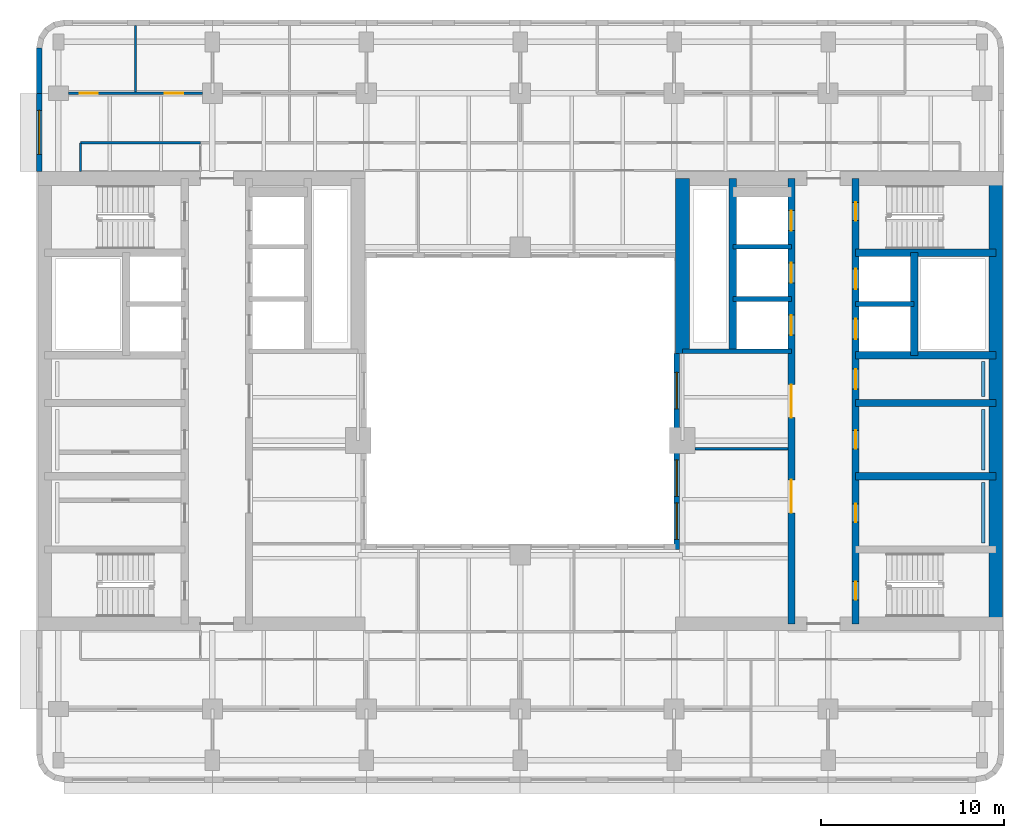
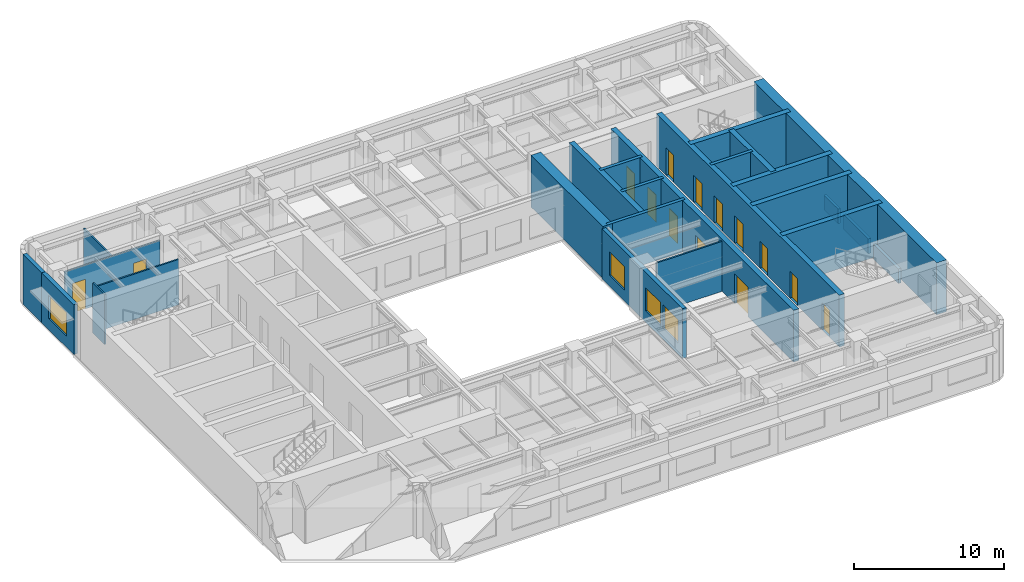
# One storey, part 6 of 12: 25 walls, 14 doors, 4 windows, 18 openings.
"""IFC4 building model written with IfcOpenShell, lengths in metres."""

from ifc_helpers import new_model, si_unit, direction, frame, frame_2d, origin, place, context, subcontext, project, spatial, rectangle, extrude, material, layer, layer_set, type_object, element, fill, save


model = new_model("IFC4")

# Units and contexts
model_context = context("Model", 3, precision=1e-05, world=origin(), true_north=direction((0.0, 1.0)))
body_context = subcontext(model_context, "Body", "Model", "MODEL_VIEW")
ifc_project = project(units=[si_unit("LENGTHUNIT", "METRE"), si_unit("AREAUNIT", "SQUARE_METRE"), si_unit("VOLUMEUNIT", "CUBIC_METRE"), si_unit("PLANEANGLEUNIT", "RADIAN"), si_unit("MASSUNIT", "GRAM", prefix="KILO")], contexts=[model_context])

# Site, building, storey
site_placement = place(None, origin())
site = spatial("IfcSite", under=ifc_project, at=site_placement, CompositionType="ELEMENT")
building_placement = place(site_placement, origin())
building = spatial("IfcBuilding", under=site, at=building_placement, Name="Claustro Exchange Tower", CompositionType="ELEMENT")
storey_placement = place(building_placement, frame((0.0, 0.0, 223.800048828125)))
storey = spatial("IfcBuildingStorey", under=building, at=storey_placement, Name="L51", CompositionType="ELEMENT", Elevation=223.800048828125)

# Wall
ifc_material_1 = material(Name="Laminated glass in aluminium frame", Category="aluminium")
ifc_layer_1 = layer(ifc_material_1, 0.1201171875)
ifc_layer_set_1 = layer_set([ifc_layer_1], Name="Laminated glass in aluminium frame")
wall_type_1 = type_object("IfcWallType", Name="P2 120 glazed partition", PredefinedType="PARTITIONING", material=ifc_layer_set_1)
wall_1_placement = place(storey_placement, frame((34.7490234375, 22.60009765625, 0.0), z_axis=(0.0, 0.0, 1.0), x_axis=(1.0, 0.0, 0.0)))
element("IfcWall", 1, at=wall_1_placement, inside=storey, type_object=wall_type_1, Name="Partition P2 L51", PredefinedType="PARTITIONING", context=body_context, shape_type="SweptSolid", body=[
    extrude(rectangle(XDim=5.052978515625, YDim=0.1201171875, at=frame_2d((2.5263671875, 0.0))), origin(), (0.0, 0.0, 1.0), 4.050048828125),
])

# Wall, openings, doors
wall_2_placement = place(storey_placement, frame((0.549072265625, 42.0, 0.0), z_axis=(0.0, 0.0, 1.0), x_axis=(1.0, 0.0, 0.0)))
wall_2 = element("IfcWall", 2, at=wall_2_placement, inside=storey, type_object=wall_type_1, Name="Partition P2 L51", PredefinedType="PARTITIONING", context=body_context, shape_type="SweptSolid", body=[
    extrude(rectangle(XDim=7.302001953125, YDim=0.1201171875, at=frame_2d((3.65087890625, 0.0))), origin(), (0.0, 0.0, 1.0), 3.550048828125),
])
opening_1_placement = place(wall_2_placement, frame((0.60107421875, 0.0, 0.0)))
opening_1 = element("IfcOpeningElement", 3, at=opening_1_placement, cuts=wall_2, Name="Opening D7", PredefinedType="OPENING", context=body_context, shape_type="SweptSolid", body=[
    extrude(rectangle(XDim=1.0, YDim=2.39990234375, at=frame_2d((0.5, 1.199951171875))), frame((0.0, 0.070068359375, 0.0), z_axis=(0.0, -1.0, 0.0), x_axis=(1.0, 0.0, 0.0)), (0.0, 0.0, 1.0), 0.14013671875),
])
opening_2_placement = place(wall_2_placement, frame((5.2509765625, 0.0, 0.0)))
opening_2 = element("IfcOpeningElement", 4, at=opening_2_placement, cuts=wall_2, Name="Opening D7", PredefinedType="OPENING", context=body_context, shape_type="SweptSolid", body=[
    extrude(rectangle(XDim=1.0, YDim=2.39990234375, at=frame_2d((0.5, 1.199951171875))), frame((0.0, 0.070068359375, 0.0), z_axis=(0.0, -1.0, 0.0), x_axis=(1.0, 0.0, 0.0)), (0.0, 0.0, 1.0), 0.14013671875),
])
ifc_material_2 = material(Name="Glass door in aluminium frame", Category="aluminium")
door_type_1 = type_object("IfcDoorType", Name="D7 1000 x 2400 glazed door", OperationType="SINGLE_SWING_LEFT", PredefinedType="DOOR", material=ifc_material_2)
door_1_placement = place(opening_1_placement, origin())
door_1 = element("IfcDoor", 5, at=door_1_placement, inside=storey, type_object=door_type_1, Name="Door D7 L51", OperationType="SINGLE_SWING_RIGHT", OverallHeight=2.39990234375, OverallWidth=1.0, PredefinedType="DOOR", context=body_context, shape_type="SweptSolid", body=[
    extrude(rectangle(XDim=1.0, YDim=2.39990234375, at=frame_2d((0.5, 1.199951171875))), frame((0.0, 0.02490234375, 0.0), z_axis=(0.0, -1.0, 0.0), x_axis=(1.0, 0.0, 0.0)), (0.0, 0.0, 1.0), 0.050048828125),
])
fill(opening_1, door_1)
door_2_placement = place(opening_2_placement, origin())
door_2 = element("IfcDoor", 6, at=door_2_placement, inside=storey, type_object=door_type_1, Name="Door D7 L51", OperationType="SINGLE_SWING_RIGHT", OverallHeight=2.39990234375, OverallWidth=1.0, PredefinedType="DOOR", context=body_context, shape_type="SweptSolid", body=[
    extrude(rectangle(XDim=1.0, YDim=2.39990234375, at=frame_2d((0.5, 1.199951171875))), frame((0.0, 0.02490234375, 0.0), z_axis=(0.0, -1.0, 0.0), x_axis=(1.0, 0.0, 0.0)), (0.0, 0.0, 1.0), 0.050048828125),
])
fill(opening_2, door_2)

# Walls
wall_3_placement = place(storey_placement, frame((4.199951171875, 42.05810546875, 0.0), z_axis=(0.0, 0.0, 1.0), x_axis=(0.0, 1.0, 0.0)))
element("IfcWall", 7, at=wall_3_placement, inside=storey, type_object=wall_type_1, Name="Partition P2 L51", PredefinedType="PARTITIONING", context=body_context, shape_type="SweptSolid", body=[
    extrude(rectangle(XDim=3.643798828125, YDim=0.1201171875, at=frame_2d((1.82177734375, 0.0))), origin(), (0.0, 0.0, 1.0), 3.550048828125),
])
wall_4_placement = place(storey_placement, frame((1.199951171875, 39.300048828125, 0.0), z_axis=(0.0, 0.0, 1.0), x_axis=(1.0, 0.0, 0.0)))
element("IfcWall", 8, at=wall_4_placement, inside=storey, type_object=wall_type_1, Name="Partition P2 L51", PredefinedType="PARTITIONING", context=body_context, shape_type="SweptSolid", body=[
    extrude(rectangle(XDim=6.552001953125, YDim=0.1201171875, at=frame_2d((3.27587890625, 0.0))), origin(), (0.0, 0.0, 1.0), 3.68994140625),
])
wall_5_placement = place(storey_placement, frame((1.199951171875, 37.72412109375, 0.0), z_axis=(0.0, 0.0, 1.0), x_axis=(0.0, 1.0, 0.0)))
element("IfcWall", 9, at=wall_5_placement, inside=storey, type_object=wall_type_1, Name="Partition P2 L51", PredefinedType="PARTITIONING", context=body_context, shape_type="SweptSolid", body=[
    extrude(rectangle(XDim=1.575927734375, YDim=0.1201171875, at=frame_2d((0.7880859375, 0.0))), origin(), (0.0, 0.0, 1.0), 4.050048828125),
])

# Wall, opening, window
ifc_material_3 = material(Name="Concrete HA-40 (C40/50), precast, white cement, acid-etched", Category="concrete")
ifc_layer_2 = layer(ifc_material_3, 0.300048828125)
ifc_layer_set_2 = layer_set([ifc_layer_2], Name="Concrete HA-40 (C40/50), precast, white cement, acid-etched")
wall_type_2 = type_object("IfcWallType", Name="PC1 300 precast concrete pier panel", PredefinedType="SOLIDWALL", material=ifc_layer_set_2)
wall_6_placement = place(storey_placement, frame((-1.050048828125, 37.72509765625, 0.0), z_axis=(0.0, 0.0, 1.0), x_axis=(0.0, 1.0, 0.0)))
wall_6 = element("IfcWall", 10, at=wall_6_placement, inside=storey, type_object=wall_type_2, Name="Precast pier panel PC1 L51", PredefinedType="SOLIDWALL", context=body_context, shape_type="SweptSolid", body=[
    extrude(rectangle(XDim=4.27490234375, YDim=0.300048828125, at=frame_2d((2.137451171875, 0.0))), origin(), (0.0, 0.0, 1.0), 4.050048828125),
])
opening_3_placement = place(wall_6_placement, frame((0.9375, 0.0, 0.89990234375)))
opening_3 = element("IfcOpeningElement", 11, at=opening_3_placement, cuts=wall_6, Name="Opening W2", PredefinedType="OPENING", context=body_context, shape_type="SweptSolid", body=[
    extrude(rectangle(XDim=2.39990234375, YDim=1.89990234375, at=frame_2d((1.199951171875, 0.949951171875))), frame((0.0, 0.159912109375, 0.0), z_axis=(0.0, -1.0, 0.0), x_axis=(1.0, 0.0, 0.0)), (0.0, 0.0, 1.0), 0.320068359375),
])
ifc_material_4 = material(Name="Aluminium frame, clear double glazing", Category="aluminium")
window_type_1 = type_object("IfcWindowType", Name="W2 2400 x 1900 window", PartitioningType="SINGLE_PANEL", PredefinedType="WINDOW", material=ifc_material_4)
window_1_placement = place(opening_3_placement, origin())
window_1 = element("IfcWindow", 12, at=window_1_placement, inside=storey, type_object=window_type_1, Name="Window W2 L51", OverallHeight=1.89990234375, OverallWidth=2.39990234375, PartitioningType="SINGLE_PANEL", PredefinedType="WINDOW", context=body_context, shape_type="SweptSolid", body=[
    extrude(rectangle(XDim=2.39990234375, YDim=1.89990234375, at=frame_2d((1.199951171875, 0.949951171875))), frame((0.0, 0.030029296875, 0.0), z_axis=(0.0, -1.0, 0.0), x_axis=(1.0, 0.0, 0.0)), (0.0, 0.0, 1.0), 0.06005859375),
])
fill(opening_3, window_1)

# Wall
wall_7_placement = place(storey_placement, frame((-1.050048828125, 42.0, 0.0), z_axis=(0.0, 0.0, 1.0), x_axis=(0.0, 1.0, 0.0)))
element("IfcWall", 13, at=wall_7_placement, inside=storey, type_object=wall_type_2, Name="Precast pier panel PC1 L51", PredefinedType="SOLIDWALL", context=body_context, shape_type="SweptSolid", body=[
    extrude(rectangle(XDim=2.485107421875, YDim=0.300048828125, at=frame_2d((1.24267578125, 0.0))), origin(), (0.0, 0.0, 1.0), 4.050048828125),
])

# Wall, openings, windows
wall_8_placement = place(storey_placement, frame((33.75, 17.10009765625, 0.0), z_axis=(0.0, 0.0, 1.0), x_axis=(0.0, 1.0, 0.0)))
wall_8 = element("IfcWall", 14, at=wall_8_placement, inside=storey, type_object=wall_type_2, Name="Precast pier panel PC1 L51", PredefinedType="SOLIDWALL", context=body_context, shape_type="SweptSolid", body=[
    extrude(rectangle(XDim=10.699951171875, YDim=0.300048828125, at=frame_2d((5.35009765625, 0.0))), origin(), (0.0, 0.0, 1.0), 4.050048828125),
])
opening_4_placement = place(wall_8_placement, frame((0.550048828125, 0.0, 0.89990234375)))
opening_4 = element("IfcOpeningElement", 15, at=opening_4_placement, cuts=wall_8, Name="Opening W4", PredefinedType="OPENING", context=body_context, shape_type="SweptSolid", body=[
    extrude(rectangle(XDim=2.0, YDim=1.89990234375, at=frame_2d((1.0, 0.949951171875))), frame((0.0, 0.159912109375, 0.0), z_axis=(0.0, -1.0, 0.0), x_axis=(1.0, 0.0, 0.0)), (0.0, 0.0, 1.0), 0.320068359375),
])
opening_5_placement = place(wall_8_placement, frame((2.89990234375, 0.0, 0.89990234375)))
opening_5 = element("IfcOpeningElement", 16, at=opening_5_placement, cuts=wall_8, Name="Opening W4", PredefinedType="OPENING", context=body_context, shape_type="SweptSolid", body=[
    extrude(rectangle(XDim=2.0, YDim=1.89990234375, at=frame_2d((1.0, 0.949951171875))), frame((0.0, 0.159912109375, 0.0), z_axis=(0.0, -1.0, 0.0), x_axis=(1.0, 0.0, 0.0)), (0.0, 0.0, 1.0), 0.320068359375),
])
opening_6_placement = place(wall_8_placement, frame((7.675048828125, 0.0, 0.89990234375)))
opening_6 = element("IfcOpeningElement", 17, at=opening_6_placement, cuts=wall_8, Name="Opening W4", PredefinedType="OPENING", context=body_context, shape_type="SweptSolid", body=[
    extrude(rectangle(XDim=2.0, YDim=1.89990234375, at=frame_2d((1.0, 0.949951171875))), frame((0.0, 0.159912109375, 0.0), z_axis=(0.0, -1.0, 0.0), x_axis=(1.0, 0.0, 0.0)), (0.0, 0.0, 1.0), 0.320068359375),
])
ifc_material_5 = material(Name="Aluminium frame, clear double glazing", Category="aluminium")
window_type_2 = type_object("IfcWindowType", Name="W4 2000 x 1900 light well window", PartitioningType="SINGLE_PANEL", PredefinedType="WINDOW", material=ifc_material_5)
window_2_placement = place(opening_4_placement, origin())
window_2 = element("IfcWindow", 18, at=window_2_placement, inside=storey, type_object=window_type_2, Name="Window W4 L51", OverallHeight=1.89990234375, OverallWidth=2.0, PartitioningType="SINGLE_PANEL", PredefinedType="WINDOW", context=body_context, shape_type="SweptSolid", body=[
    extrude(rectangle(XDim=2.0, YDim=1.89990234375, at=frame_2d((1.0, 0.949951171875))), frame((0.0, 0.030029296875, 0.0), z_axis=(0.0, -1.0, 0.0), x_axis=(1.0, 0.0, 0.0)), (0.0, 0.0, 1.0), 0.06005859375),
])
fill(opening_4, window_2)
window_3_placement = place(opening_5_placement, origin())
window_3 = element("IfcWindow", 19, at=window_3_placement, inside=storey, type_object=window_type_2, Name="Window W4 L51", OverallHeight=1.89990234375, OverallWidth=2.0, PartitioningType="SINGLE_PANEL", PredefinedType="WINDOW", context=body_context, shape_type="SweptSolid", body=[
    extrude(rectangle(XDim=2.0, YDim=1.89990234375, at=frame_2d((1.0, 0.949951171875))), frame((0.0, 0.030029296875, 0.0), z_axis=(0.0, -1.0, 0.0), x_axis=(1.0, 0.0, 0.0)), (0.0, 0.0, 1.0), 0.06005859375),
])
fill(opening_5, window_3)
window_4_placement = place(opening_6_placement, origin())
window_4 = element("IfcWindow", 20, at=window_4_placement, inside=storey, type_object=window_type_2, Name="Window W4 L51", OverallHeight=1.89990234375, OverallWidth=2.0, PartitioningType="SINGLE_PANEL", PredefinedType="WINDOW", context=body_context, shape_type="SweptSolid", body=[
    extrude(rectangle(XDim=2.0, YDim=1.89990234375, at=frame_2d((1.0, 0.949951171875))), frame((0.0, 0.030029296875, 0.0), z_axis=(0.0, -1.0, 0.0), x_axis=(1.0, 0.0, 0.0)), (0.0, 0.0, 1.0), 0.06005859375),
])
fill(opening_6, window_4)

# Walls
ifc_material_6 = material(Name="Gypsum board on steel studs, tiled", Category="steel")
ifc_layer_3 = layer(ifc_material_6, 0.199951171875)
ifc_layer_set_3 = layer_set([ifc_layer_3], Name="Gypsum board on steel studs, tiled")
wall_type_3 = type_object("IfcWallType", Name="PW1 200 WC duct wall", PredefinedType="PLUMBINGWALL", material=ifc_layer_set_3)
for number, where, z_axis, x_axis, name in (
    (21, (50.47509765625, 17.449951171875, 0.0), (0.0, 0.0, 1.0), (0.0, 1.0, 0.0), "WC duct wall PW1 L51"),
    (22, (50.47509765625, 21.449951171875, 0.0), (0.0, 0.0, 1.0), (0.0, 1.0, 0.0), "WC duct wall PW1 L51"),
):
    element("IfcWall", number, at=place(storey_placement, frame(where, z_axis=z_axis, x_axis=x_axis)), inside=storey, type_object=wall_type_3, Name=name, PredefinedType="PLUMBINGWALL", context=body_context, shape_type="SweptSolid", body=[
        extrude(rectangle(XDim=3.300048828125, YDim=0.199951171875, at=frame_2d((1.64990234375, 0.0))), origin(), (0.0, 0.0, 1.0), 1.199951171875),
    ])
wall_9_placement = place(storey_placement, frame((50.47509765625, 25.449951171875, 0.0), z_axis=(0.0, 0.0, 1.0), x_axis=(0.0, 1.0, 0.0)))
element("IfcWall", 23, at=wall_9_placement, inside=storey, type_object=wall_type_3, Name="WC duct wall PW1 L51", PredefinedType="PLUMBINGWALL", context=body_context, shape_type="SweptSolid", body=[
    extrude(rectangle(XDim=1.900146484375, YDim=0.199951171875, at=frame_2d((0.9501953125, 0.0))), origin(), (0.0, 0.0, 1.0), 1.199951171875),
])
ifc_material_7 = material(Name="Concrete HA-70 (C70/85)", Category="concrete")
ifc_layer_4 = layer(ifc_material_7, 0.75)
ifc_layer_set_4 = layer_set([ifc_layer_4], Name="Concrete HA-70 (C70/85)")
wall_type_4 = type_object("IfcWallType", Name="SW2X 750 exposed core shear wall, board-marked face", PredefinedType="SHEAR", material=ifc_layer_set_4)
wall_10_placement = place(storey_placement, frame((34.050048828125, 27.800048828125, 0.0), z_axis=(0.0, 0.0, 1.0), x_axis=(0.0, 1.0, 0.0)))
element("IfcWall", 24, at=wall_10_placement, inside=storey, type_object=wall_type_4, Name="Core wall SW2X E core W face L51", PredefinedType="SHEAR", context=body_context, shape_type="SweptSolid", body=[
    extrude(rectangle(XDim=9.550048828125, YDim=0.75, at=frame_2d((4.77490234375, 0.0))), origin(), (0.0, 0.0, 1.0), 4.199951171875),
])
wall_11_placement = place(storey_placement, frame((51.14990234375, 13.050048828125, 0.0), z_axis=(0.0, 0.0, 1.0), x_axis=(0.0, 1.0, 0.0)))
element("IfcWall", 25, at=wall_11_placement, inside=storey, type_object=wall_type_4, Name="Core wall SW2X E core E face L51", PredefinedType="SHEAR", context=body_context, shape_type="SweptSolid", body=[
    extrude(rectangle(XDim=24.300048828125, YDim=0.75, at=frame_2d((12.14990234375, 0.0))), origin(), (0.0, 0.0, 1.0), 4.199951171875),
])

# Wall, openings, doors
ifc_material_8 = material(Name="Concrete HA-50 (C50/60)", Category="concrete")
ifc_layer_5 = layer(ifc_material_8, 0.39990234375)
ifc_layer_set_5 = layer_set([ifc_layer_5], Name="Concrete HA-50 (C50/60)")
wall_type_5 = type_object("IfcWallType", Name="SW4 400 internal core wall", PredefinedType="SHEAR", material=ifc_layer_set_5)
wall_12_placement = place(storey_placement, frame((43.5, 13.050048828125, 0.0), z_axis=(0.0, 0.0, 1.0), x_axis=(0.0, 1.0, 0.0)))
wall_12 = element("IfcWall", 26, at=wall_12_placement, inside=storey, type_object=wall_type_5, Name="Internal core wall SW4 E core L51", PredefinedType="SHEAR", context=body_context, shape_type="SweptSolid", body=[
    extrude(rectangle(XDim=24.300048828125, YDim=0.39990234375, at=frame_2d((12.14990234375, 0.0))), origin(), (0.0, 0.0, 1.0), 4.199951171875),
])
opening_7_placement = place(wall_12_placement, frame((1.300048828125, 0.0, 0.0)))
opening_7 = element("IfcOpeningElement", 27, at=opening_7_placement, cuts=wall_12, Name="Opening D4", PredefinedType="OPENING", context=body_context, shape_type="SweptSolid", body=[
    extrude(rectangle(XDim=1.0, YDim=2.199951171875, at=frame_2d((0.5, 1.10009765625))), frame((0.0, 0.2099609375, 0.0), z_axis=(0.0, -1.0, 0.0), x_axis=(1.0, 0.0, 0.0)), (0.0, 0.0, 1.0), 0.419921875),
])
opening_8_placement = place(wall_12_placement, frame((22.0, 0.0, 0.0)))
opening_8 = element("IfcOpeningElement", 28, at=opening_8_placement, cuts=wall_12, Name="Opening D4", PredefinedType="OPENING", context=body_context, shape_type="SweptSolid", body=[
    extrude(rectangle(XDim=1.0, YDim=2.199951171875, at=frame_2d((0.5, 1.10009765625))), frame((0.0, 0.2099609375, 0.0), z_axis=(0.0, -1.0, 0.0), x_axis=(1.0, 0.0, 0.0)), (0.0, 0.0, 1.0), 0.419921875),
])
opening_9_placement = place(wall_12_placement, frame((5.550048828125, 0.0, 0.0)))
opening_9 = element("IfcOpeningElement", 29, at=opening_9_placement, cuts=wall_12, Name="Opening D1", PredefinedType="OPENING", context=body_context, shape_type="SweptSolid", body=[
    extrude(rectangle(XDim=1.0, YDim=2.199951171875, at=frame_2d((0.5, 1.10009765625))), frame((0.0, 0.2099609375, 0.0), z_axis=(0.0, -1.0, 0.0), x_axis=(1.0, 0.0, 0.0)), (0.0, 0.0, 1.0), 0.419921875),
])
opening_10_placement = place(wall_12_placement, frame((9.550048828125, 0.0, 0.0)))
opening_10 = element("IfcOpeningElement", 30, at=opening_10_placement, cuts=wall_12, Name="Opening D1", PredefinedType="OPENING", context=body_context, shape_type="SweptSolid", body=[
    extrude(rectangle(XDim=1.0, YDim=2.199951171875, at=frame_2d((0.5, 1.10009765625))), frame((0.0, 0.2099609375, 0.0), z_axis=(0.0, -1.0, 0.0), x_axis=(1.0, 0.0, 0.0)), (0.0, 0.0, 1.0), 0.419921875),
])
opening_11_placement = place(wall_12_placement, frame((12.800048828125, 0.0, 0.0)))
opening_11 = element("IfcOpeningElement", 31, at=opening_11_placement, cuts=wall_12, Name="Opening D10", PredefinedType="OPENING", context=body_context, shape_type="SweptSolid", body=[
    extrude(rectangle(XDim=1.10009765625, YDim=2.199951171875, at=frame_2d((0.550048828125, 1.10009765625))), frame((0.0, 0.2099609375, 0.0), z_axis=(0.0, -1.0, 0.0), x_axis=(1.0, 0.0, 0.0)), (0.0, 0.0, 1.0), 0.419921875),
])
opening_12_placement = place(wall_12_placement, frame((15.53759765625, 0.0, 0.0)))
opening_12 = element("IfcOpeningElement", 32, at=opening_12_placement, cuts=wall_12, Name="Opening LD", PredefinedType="OPENING", context=body_context, shape_type="SweptSolid", body=[
    extrude(rectangle(XDim=1.10009765625, YDim=2.199951171875, at=frame_2d((0.550048828125, 1.10009765625))), frame((0.0, 0.2099609375, 0.0), z_axis=(0.0, -1.0, 0.0), x_axis=(1.0, 0.0, 0.0)), (0.0, 0.0, 1.0), 0.419921875),
])
opening_13_placement = place(wall_12_placement, frame((18.262451171875, 0.0, 0.0)))
opening_13 = element("IfcOpeningElement", 33, at=opening_13_placement, cuts=wall_12, Name="Opening LD", PredefinedType="OPENING", context=body_context, shape_type="SweptSolid", body=[
    extrude(rectangle(XDim=1.10009765625, YDim=2.199951171875, at=frame_2d((0.550048828125, 1.10009765625))), frame((0.0, 0.2099609375, 0.0), z_axis=(0.0, -1.0, 0.0), x_axis=(1.0, 0.0, 0.0)), (0.0, 0.0, 1.0), 0.419921875),
])
ifc_material_9 = material(Name="Timber door, oak veneer", Category="wood")
door_type_2 = type_object("IfcDoorType", Name="D1 1000 x 2200 single door", OperationType="SINGLE_SWING_LEFT", PredefinedType="DOOR", material=ifc_material_9)
door_3_placement = place(opening_9_placement, frame((1.0, 0.0, 0.0), z_axis=(0.0, 0.0, 1.0), x_axis=(-1.0, 0.0, 0.0)))
door_3 = element("IfcDoor", 34, at=door_3_placement, inside=storey, type_object=door_type_2, Name="Door D1 L51", OperationType="SINGLE_SWING_LEFT", OverallHeight=2.199951171875, OverallWidth=1.0, PredefinedType="DOOR", context=body_context, shape_type="SweptSolid", body=[
    extrude(rectangle(XDim=1.0, YDim=2.199951171875, at=frame_2d((0.5, 1.10009765625))), frame((0.0, 0.02490234375, 0.0), z_axis=(0.0, -1.0, 0.0), x_axis=(1.0, 0.0, 0.0)), (0.0, 0.0, 1.0), 0.050048828125),
])
fill(opening_9, door_3)
door_4_placement = place(opening_10_placement, frame((1.0, 0.0, 0.0), z_axis=(0.0, 0.0, 1.0), x_axis=(-1.0, 0.0, 0.0)))
door_4 = element("IfcDoor", 35, at=door_4_placement, inside=storey, type_object=door_type_2, Name="Door D1 L51", OperationType="SINGLE_SWING_LEFT", OverallHeight=2.199951171875, OverallWidth=1.0, PredefinedType="DOOR", context=body_context, shape_type="SweptSolid", body=[
    extrude(rectangle(XDim=1.0, YDim=2.199951171875, at=frame_2d((0.5, 1.10009765625))), frame((0.0, 0.02490234375, 0.0), z_axis=(0.0, -1.0, 0.0), x_axis=(1.0, 0.0, 0.0)), (0.0, 0.0, 1.0), 0.050048828125),
])
fill(opening_10, door_4)
ifc_material_10 = material(Name="Timber door, oak veneer", Category="wood")
door_type_3 = type_object("IfcDoorType", Name="D10 1100 x 2200 accessible WC door", OperationType="SINGLE_SWING_LEFT", PredefinedType="DOOR", material=ifc_material_10)
door_5_placement = place(opening_11_placement, origin())
door_5 = element("IfcDoor", 36, at=door_5_placement, inside=storey, type_object=door_type_3, Name="Accessible WC door D10 L51", OperationType="SINGLE_SWING_RIGHT", OverallHeight=2.199951171875, OverallWidth=1.10009765625, PredefinedType="DOOR", context=body_context, shape_type="SweptSolid", body=[
    extrude(rectangle(XDim=1.10009765625, YDim=2.199951171875, at=frame_2d((0.550048828125, 1.10009765625))), frame((0.0, 0.02490234375, 0.0), z_axis=(0.0, -1.0, 0.0), x_axis=(1.0, 0.0, 0.0)), (0.0, 0.0, 1.0), 0.050048828125),
])
fill(opening_11, door_5)
ifc_material_11 = material(Name="Steel fire door, painted", Category="steel")
door_type_4 = type_object("IfcDoorType", Name="D4 1000 x 2200 fire-rated stair door", OperationType="SINGLE_SWING_LEFT", PredefinedType="DOOR", material=ifc_material_11)
door_6_placement = place(opening_7_placement, frame((1.0, 0.0, 0.0), z_axis=(0.0, 0.0, 1.0), x_axis=(-1.0, 0.0, 0.0)))
door_6 = element("IfcDoor", 37, at=door_6_placement, inside=storey, type_object=door_type_4, Name="Stair door D4 L51", OperationType="SINGLE_SWING_RIGHT", OverallHeight=2.199951171875, OverallWidth=1.0, PredefinedType="DOOR", context=body_context, shape_type="SweptSolid", body=[
    extrude(rectangle(XDim=1.0, YDim=2.199951171875, at=frame_2d((0.5, 1.10009765625))), frame((0.0, 0.02490234375, 0.0), z_axis=(0.0, -1.0, 0.0), x_axis=(1.0, 0.0, 0.0)), (0.0, 0.0, 1.0), 0.050048828125),
])
fill(opening_7, door_6)
door_7_placement = place(opening_8_placement, frame((1.0, 0.0, 0.0), z_axis=(0.0, 0.0, 1.0), x_axis=(-1.0, 0.0, 0.0)))
door_7 = element("IfcDoor", 38, at=door_7_placement, inside=storey, type_object=door_type_4, Name="Stair door D4 L51", OperationType="SINGLE_SWING_LEFT", OverallHeight=2.199951171875, OverallWidth=1.0, PredefinedType="DOOR", context=body_context, shape_type="SweptSolid", body=[
    extrude(rectangle(XDim=1.0, YDim=2.199951171875, at=frame_2d((0.5, 1.10009765625))), frame((0.0, 0.02490234375, 0.0), z_axis=(0.0, -1.0, 0.0), x_axis=(1.0, 0.0, 0.0)), (0.0, 0.0, 1.0), 0.050048828125),
])
fill(opening_8, door_7)
ifc_material_12 = material(Name="Stainless steel sliding door", Category="steel")
door_type_5 = type_object("IfcDoorType", Name="LD 1100 x 2200 lift landing door", OperationType="DOUBLE_DOOR_SLIDING", PredefinedType="DOOR", material=ifc_material_12)
door_8_placement = place(opening_12_placement, origin())
door_8 = element("IfcDoor", 39, at=door_8_placement, inside=storey, type_object=door_type_5, Name="Lift landing door LEE1 LD L51", OperationType="DOUBLE_DOOR_SLIDING", OverallHeight=2.199951171875, OverallWidth=1.10009765625, PredefinedType="DOOR", context=body_context, shape_type="SweptSolid", body=[
    extrude(rectangle(XDim=1.10009765625, YDim=2.199951171875, at=frame_2d((0.550048828125, 1.10009765625))), frame((0.0, 0.02490234375, 0.0), z_axis=(0.0, -1.0, 0.0), x_axis=(1.0, 0.0, 0.0)), (0.0, 0.0, 1.0), 0.050048828125),
])
fill(opening_12, door_8)
door_9_placement = place(opening_13_placement, origin())
door_9 = element("IfcDoor", 40, at=door_9_placement, inside=storey, type_object=door_type_5, Name="Lift landing door LEE2 LD L51", OperationType="DOUBLE_DOOR_SLIDING", OverallHeight=2.199951171875, OverallWidth=1.10009765625, PredefinedType="DOOR", context=body_context, shape_type="SweptSolid", body=[
    extrude(rectangle(XDim=1.10009765625, YDim=2.199951171875, at=frame_2d((0.550048828125, 1.10009765625))), frame((0.0, 0.02490234375, 0.0), z_axis=(0.0, -1.0, 0.0), x_axis=(1.0, 0.0, 0.0)), (0.0, 0.0, 1.0), 0.050048828125),
])
fill(opening_13, door_9)

wall_13_placement = place(storey_placement, frame((40.0, 13.050048828125, 0.0), z_axis=(0.0, 0.0, 1.0), x_axis=(0.0, 1.0, 0.0)))
wall_13 = element("IfcWall", 41, at=wall_13_placement, inside=storey, type_object=wall_type_5, Name="Internal core wall SW4 E core L51", PredefinedType="SHEAR", context=body_context, shape_type="SweptSolid", body=[
    extrude(rectangle(XDim=24.300048828125, YDim=0.39990234375, at=frame_2d((12.14990234375, 0.0))), origin(), (0.0, 0.0, 1.0), 4.199951171875),
])
opening_14_placement = place(wall_13_placement, frame((15.75, 0.0, 0.0)))
opening_14 = element("IfcOpeningElement", 42, at=opening_14_placement, cuts=wall_13, Name="Opening LD", PredefinedType="OPENING", context=body_context, shape_type="SweptSolid", body=[
    extrude(rectangle(XDim=1.10009765625, YDim=2.199951171875, at=frame_2d((0.550048828125, 1.10009765625))), frame((0.0, 0.2099609375, 0.0), z_axis=(0.0, -1.0, 0.0), x_axis=(1.0, 0.0, 0.0)), (0.0, 0.0, 1.0), 0.419921875),
])
opening_15_placement = place(wall_13_placement, frame((18.60009765625, 0.0, 0.0)))
opening_15 = element("IfcOpeningElement", 43, at=opening_15_placement, cuts=wall_13, Name="Opening LD", PredefinedType="OPENING", context=body_context, shape_type="SweptSolid", body=[
    extrude(rectangle(XDim=1.10009765625, YDim=2.199951171875, at=frame_2d((0.550048828125, 1.10009765625))), frame((0.0, 0.2099609375, 0.0), z_axis=(0.0, -1.0, 0.0), x_axis=(1.0, 0.0, 0.0)), (0.0, 0.0, 1.0), 0.419921875),
])
opening_16_placement = place(wall_13_placement, frame((21.449951171875, 0.0, 0.0)))
opening_16 = element("IfcOpeningElement", 44, at=opening_16_placement, cuts=wall_13, Name="Opening LD", PredefinedType="OPENING", context=body_context, shape_type="SweptSolid", body=[
    extrude(rectangle(XDim=1.10009765625, YDim=2.199951171875, at=frame_2d((0.550048828125, 1.10009765625))), frame((0.0, 0.2099609375, 0.0), z_axis=(0.0, -1.0, 0.0), x_axis=(1.0, 0.0, 0.0)), (0.0, 0.0, 1.0), 0.419921875),
])
opening_17_placement = place(wall_13_placement, frame((6.050048828125, 0.0, 0.0)))
opening_17 = element("IfcOpeningElement", 45, at=opening_17_placement, cuts=wall_13, Name="Opening D3", PredefinedType="OPENING", context=body_context, shape_type="SweptSolid", body=[
    extrude(rectangle(XDim=1.800048828125, YDim=2.39990234375, at=frame_2d((0.89990234375, 1.199951171875))), frame((0.0, 0.2099609375, 0.0), z_axis=(0.0, -1.0, 0.0), x_axis=(1.0, 0.0, 0.0)), (0.0, 0.0, 1.0), 0.419921875),
])
opening_18_placement = place(wall_13_placement, frame((11.25, 0.0, 0.0)))
opening_18 = element("IfcOpeningElement", 46, at=opening_18_placement, cuts=wall_13, Name="Opening D3", PredefinedType="OPENING", context=body_context, shape_type="SweptSolid", body=[
    extrude(rectangle(XDim=1.800048828125, YDim=2.39990234375, at=frame_2d((0.89990234375, 1.199951171875))), frame((0.0, 0.2099609375, 0.0), z_axis=(0.0, -1.0, 0.0), x_axis=(1.0, 0.0, 0.0)), (0.0, 0.0, 1.0), 0.419921875),
])
ifc_material_13 = material(Name="Steel fire door, painted", Category="steel")
door_type_6 = type_object("IfcDoorType", Name="D3 1800 x 2400 fire-rated lobby double door", OperationType="DOUBLE_DOOR_SINGLE_SWING", PredefinedType="DOOR", material=ifc_material_13)
door_10_placement = place(opening_17_placement, origin())
door_10 = element("IfcDoor", 47, at=door_10_placement, inside=storey, type_object=door_type_6, Name="Core zone door D3 L51", OperationType="DOUBLE_DOOR_SINGLE_SWING", OverallHeight=2.39990234375, OverallWidth=1.800048828125, PredefinedType="DOOR", context=body_context, shape_type="SweptSolid", body=[
    extrude(rectangle(XDim=1.800048828125, YDim=2.39990234375, at=frame_2d((0.89990234375, 1.199951171875))), frame((0.0, 0.02490234375, 0.0), z_axis=(0.0, -1.0, 0.0), x_axis=(1.0, 0.0, 0.0)), (0.0, 0.0, 1.0), 0.050048828125),
])
fill(opening_17, door_10)
door_11_placement = place(opening_18_placement, origin())
door_11 = element("IfcDoor", 48, at=door_11_placement, inside=storey, type_object=door_type_6, Name="Core zone door D3 L51", OperationType="DOUBLE_DOOR_SINGLE_SWING", OverallHeight=2.39990234375, OverallWidth=1.800048828125, PredefinedType="DOOR", context=body_context, shape_type="SweptSolid", body=[
    extrude(rectangle(XDim=1.800048828125, YDim=2.39990234375, at=frame_2d((0.89990234375, 1.199951171875))), frame((0.0, 0.02490234375, 0.0), z_axis=(0.0, -1.0, 0.0), x_axis=(1.0, 0.0, 0.0)), (0.0, 0.0, 1.0), 0.050048828125),
])
fill(opening_18, door_11)
door_12_placement = place(opening_14_placement, origin())
door_12 = element("IfcDoor", 49, at=door_12_placement, inside=storey, type_object=door_type_5, Name="Lift landing door LHE1 LD L51", OperationType="DOUBLE_DOOR_SLIDING", OverallHeight=2.199951171875, OverallWidth=1.10009765625, PredefinedType="DOOR", context=body_context, shape_type="SweptSolid", body=[
    extrude(rectangle(XDim=1.10009765625, YDim=2.199951171875, at=frame_2d((0.550048828125, 1.10009765625))), frame((0.0, 0.02490234375, 0.0), z_axis=(0.0, -1.0, 0.0), x_axis=(1.0, 0.0, 0.0)), (0.0, 0.0, 1.0), 0.050048828125),
])
fill(opening_14, door_12)
door_13_placement = place(opening_15_placement, origin())
door_13 = element("IfcDoor", 50, at=door_13_placement, inside=storey, type_object=door_type_5, Name="Lift landing door LHE2 LD L51", OperationType="DOUBLE_DOOR_SLIDING", OverallHeight=2.199951171875, OverallWidth=1.10009765625, PredefinedType="DOOR", context=body_context, shape_type="SweptSolid", body=[
    extrude(rectangle(XDim=1.10009765625, YDim=2.199951171875, at=frame_2d((0.550048828125, 1.10009765625))), frame((0.0, 0.02490234375, 0.0), z_axis=(0.0, -1.0, 0.0), x_axis=(1.0, 0.0, 0.0)), (0.0, 0.0, 1.0), 0.050048828125),
])
fill(opening_15, door_13)
door_14_placement = place(opening_16_placement, origin())
door_14 = element("IfcDoor", 51, at=door_14_placement, inside=storey, type_object=door_type_5, Name="Lift landing door LSE1 LD L51", OperationType="DOUBLE_DOOR_SLIDING", OverallHeight=2.199951171875, OverallWidth=1.10009765625, PredefinedType="DOOR", context=body_context, shape_type="SweptSolid", body=[
    extrude(rectangle(XDim=1.10009765625, YDim=2.199951171875, at=frame_2d((0.550048828125, 1.10009765625))), frame((0.0, 0.02490234375, 0.0), z_axis=(0.0, -1.0, 0.0), x_axis=(1.0, 0.0, 0.0)), (0.0, 0.0, 1.0), 0.050048828125),
])
fill(opening_16, door_14)

# Walls
wall_14_placement = place(storey_placement, frame((36.800048828125, 27.925048828125, 0.0), z_axis=(0.0, 0.0, 1.0), x_axis=(0.0, 1.0, 0.0)))
element("IfcWall", 52, at=wall_14_placement, inside=storey, type_object=wall_type_5, Name="Internal core wall SW4 E core L51", PredefinedType="SHEAR", context=body_context, shape_type="SweptSolid", body=[
    extrude(rectangle(XDim=9.425048828125, YDim=0.39990234375, at=frame_2d((4.71240234375, 0.0))), origin(), (0.0, 0.0, 1.0), 4.199951171875),
])
for number, where, z_axis, x_axis, name in (
    (53, (51.14990234375, 21.10009765625, 0.0), (0.0, 0.0, 1.0), (-1.0, 0.0, 0.0), "Internal core wall SW4 E core L51"),
    (54, (51.14990234375, 25.10009765625, 0.0), (0.0, 0.0, 1.0), (-1.0, 0.0, 0.0), "Internal core wall SW4 E core L51"),
    (55, (51.14990234375, 27.699951171875, 0.0), (0.0, 0.0, 1.0), (-1.0, 0.0, 0.0), "Internal core wall SW4 E core L51"),
    (56, (51.14990234375, 33.300048828125, 0.0), (0.0, 0.0, 1.0), (-1.0, 0.0, 0.0), "Internal core wall SW4 E core L51"),
):
    element("IfcWall", number, at=place(storey_placement, frame(where, z_axis=z_axis, x_axis=x_axis)), inside=storey, type_object=wall_type_5, Name=name, PredefinedType="SHEAR", context=body_context, shape_type="SweptSolid", body=[
        extrude(rectangle(XDim=7.64990234375, YDim=0.39990234375, at=frame_2d((3.824951171875, 0.0))), origin(), (0.0, 0.0, 1.0), 4.199951171875),
    ])
wall_15_placement = place(storey_placement, frame((46.699951171875, 27.699951171875, 0.0), z_axis=(0.0, 0.0, 1.0), x_axis=(0.0, 1.0, 0.0)))
element("IfcWall", 57, at=wall_15_placement, inside=storey, type_object=wall_type_5, Name="Internal core wall SW4 E core L51", PredefinedType="SHEAR", context=body_context, shape_type="SweptSolid", body=[
    extrude(rectangle(XDim=5.60009765625, YDim=0.39990234375, at=frame_2d((2.800048828125, 0.0))), origin(), (0.0, 0.0, 1.0), 4.199951171875),
])
ifc_material_14 = material(Name="Concrete HA-50 (C50/60)", Category="concrete")
ifc_layer_6 = layer(ifc_material_14, 0.25)
ifc_layer_set_6 = layer_set([ifc_layer_6], Name="Concrete HA-50 (C50/60)")
wall_type_6 = type_object("IfcWallType", Name="SW5 250 lift shaft divider wall", PredefinedType="SHEAR", material=ifc_layer_set_6)
wall_16_placement = place(storey_placement, frame((46.699951171875, 30.5, 0.0), z_axis=(0.0, 0.0, 1.0), x_axis=(-1.0, 0.0, 0.0)))
element("IfcWall", 58, at=wall_16_placement, inside=storey, type_object=wall_type_6, Name="Lift shaft wall E core L51", PredefinedType="SHEAR", context=body_context, shape_type="SweptSolid", body=[
    extrude(rectangle(XDim=3.199951171875, YDim=0.25, at=frame_2d((1.60009765625, 0.0))), origin(), (0.0, 0.0, 1.0), 4.199951171875),
])
wall_17_placement = place(storey_placement, frame((40.0, 27.925048828125, 0.0), z_axis=(0.0, 0.0, 1.0), x_axis=(-1.0, 0.0, 0.0)))
element("IfcWall", 59, at=wall_17_placement, inside=storey, type_object=wall_type_6, Name="Core step wall E core L51", PredefinedType="SHEAR", context=body_context, shape_type="SweptSolid", body=[
    extrude(rectangle(XDim=5.949951171875, YDim=0.25, at=frame_2d((2.97509765625, 0.0))), origin(), (0.0, 0.0, 1.0), 4.199951171875),
])
for number, where, z_axis, x_axis, name in (
    (60, (40.0, 30.77490234375, 0.0), (0.0, 0.0, 1.0), (-1.0, 0.0, 0.0), "Lift shaft wall E core L51"),
    (61, (40.0, 33.625, 0.0), (0.0, 0.0, 1.0), (-1.0, 0.0, 0.0), "Lift shaft wall E core L51"),
):
    element("IfcWall", number, at=place(storey_placement, frame(where, z_axis=z_axis, x_axis=x_axis)), inside=storey, type_object=wall_type_6, Name=name, PredefinedType="SHEAR", context=body_context, shape_type="SweptSolid", body=[
        extrude(rectangle(XDim=3.199951171875, YDim=0.25, at=frame_2d((1.60009765625, 0.0))), origin(), (0.0, 0.0, 1.0), 4.199951171875),
    ])

save(model, "model.ifc")
